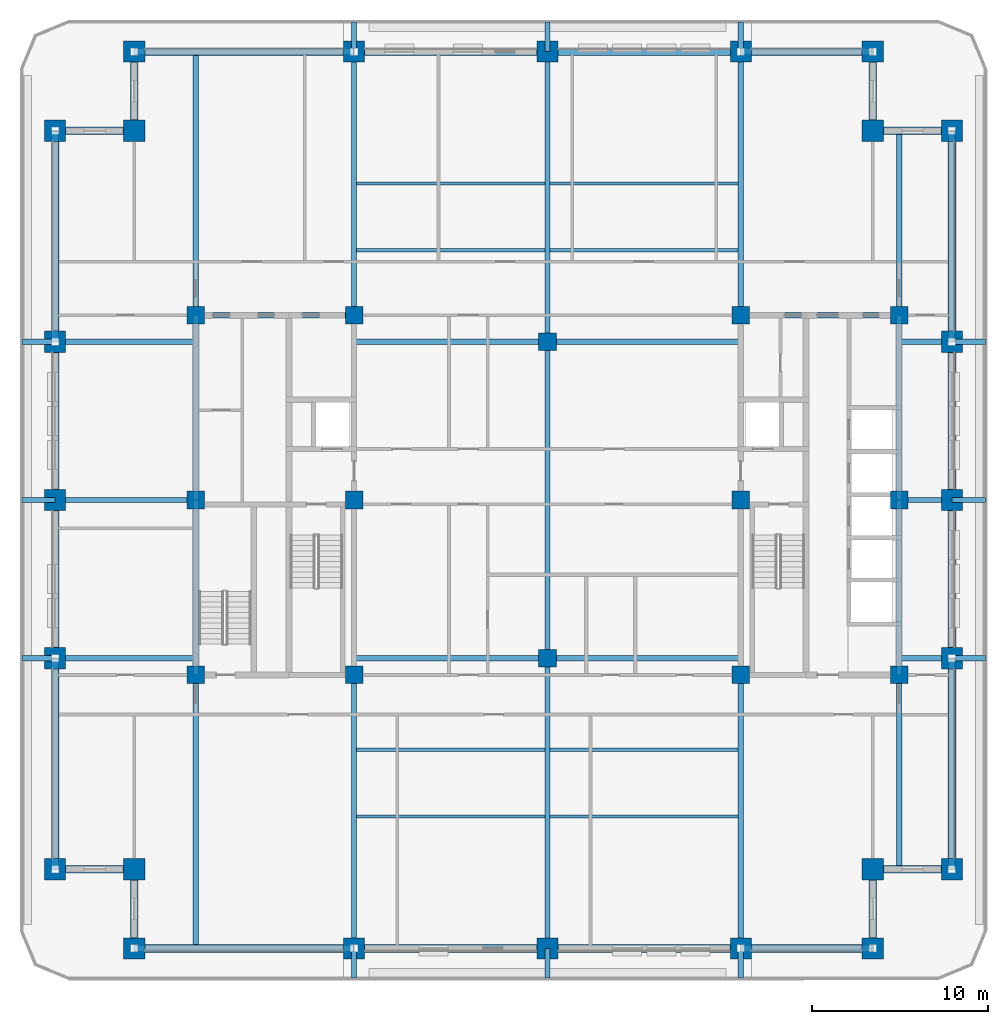
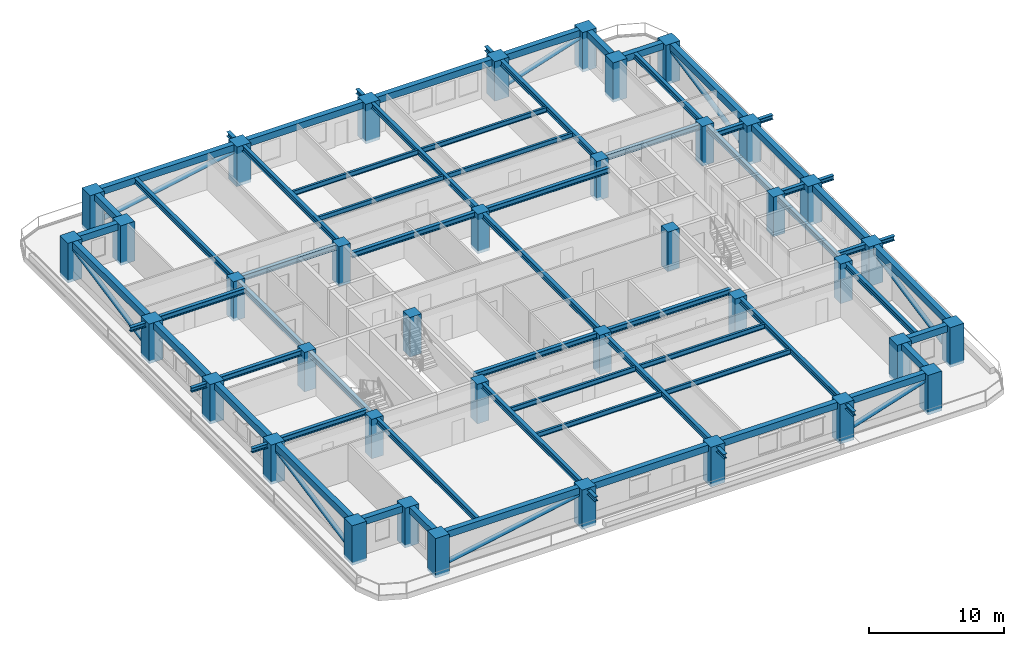
# One storey, part 1 of 15: 71 beams, 38 columns, 8 members.
"""IFC4 building model written with IfcOpenShell, lengths in metres."""

from ifc_helpers import new_model, si_unit, direction, frame, origin, origin_2d, place, context, subcontext, project, spatial, rectangle, hollow_circle, i_section, extrude, material, material_profile, profile_set, type_object, element, save


model = new_model("IFC4")

# Units and contexts
model_context = context("Model", 3, precision=1e-05, world=origin(), true_north=direction((0.0, 1.0)))
body_context = subcontext(model_context, "Body", "Model", "MODEL_VIEW")
ifc_project = project(units=[si_unit("LENGTHUNIT", "METRE"), si_unit("AREAUNIT", "SQUARE_METRE"), si_unit("VOLUMEUNIT", "CUBIC_METRE"), si_unit("PLANEANGLEUNIT", "RADIAN"), si_unit("MASSUNIT", "GRAM", prefix="KILO")], contexts=[model_context])

# Site, building, storey
site_placement = place(None, origin())
site = spatial("IfcSite", under=ifc_project, at=site_placement, CompositionType="ELEMENT")
building_placement = place(site_placement, origin())
building = spatial("IfcBuilding", under=site, at=building_placement, Name="Zulmaris Gate Convention Tower", CompositionType="ELEMENT")
storey_placement = place(building_placement, frame((0.0, 0.0, 128.48974609375)))
storey = spatial("IfcBuildingStorey", under=building, at=storey_placement, Name="L32", CompositionType="ELEMENT", Elevation=128.48974609375)

# Columns
ifc_material_1 = material(Name="Concrete C60/75", Category="concrete")
ifc_material_profile_1 = material_profile(ifc_material_1, rectangle(XDim=1.0, YDim=1.0, at=origin_2d()), Name="RC COL 1000x1000")
ifc_profile_set_1 = profile_set([ifc_material_profile_1], Name="Concrete C60/75")
column_type_1 = type_object("IfcColumnType", Name="COL-RC1000", PredefinedType="COLUMN", material=ifc_profile_set_1)
for number, where, z_axis, x_axis, name in (
    (1, (-20.0, -9.949951171875, -0.25), (0.0, 0.0, 1.0), (1.0, 0.0, 0.0), "L32 Column IN--20.00_-9.95"),
    (2, (-20.0, 10.5, -0.25), (0.0, 0.0, 1.0), (1.0, 0.0, 0.0), "L32 Column IN--20.00_+10.50"),
    (3, (-11.0, -9.949951171875, -0.25), (0.0, 0.0, 1.0), (1.0, 0.0, 0.0), "L32 Column IN--11.00_-9.95"),
    (4, (-11.0, 0.0, -0.25), (0.0, 0.0, 1.0), (1.0, 0.0, 0.0), "L32 Column IN--11.00_+0.00"),
    (5, (-11.0, 10.5, -0.25), (0.0, 0.0, 1.0), (1.0, 0.0, 0.0), "L32 Column IN--11.00_+10.50"),
    (6, (11.0, -9.949951171875, -0.25), (0.0, 0.0, 1.0), (1.0, 0.0, 0.0), "L32 Column IN-+11.00_-9.95"),
    (7, (11.0, 0.0, -0.25), (0.0, 0.0, 1.0), (1.0, 0.0, 0.0), "L32 Column IN-+11.00_+0.00"),
    (8, (11.0, 10.5, -0.25), (0.0, 0.0, 1.0), (1.0, 0.0, 0.0), "L32 Column IN-+11.00_+10.50"),
    (9, (20.0, -9.949951171875, -0.25), (0.0, 0.0, 1.0), (1.0, 0.0, 0.0), "L32 Column IN-+20.00_-9.95"),
    (10, (20.0, 10.5, -0.25), (0.0, 0.0, 1.0), (1.0, 0.0, 0.0), "L32 Column IN-+20.00_+10.50"),
    (11, (0.0, -9.0, -0.25), (0.0, 0.0, 1.0), (1.0, 0.0, 0.0), "L32 Column IN-+0.00_-9.00"),
    (12, (0.0, 9.0, -0.25), (0.0, 0.0, 1.0), (1.0, 0.0, 0.0), "L32 Column IN-+0.00_+9.00"),
    (13, (-20.0, 0.0, -0.25), (0.0, 0.0, 1.0), (1.0, 0.0, 0.0), "L32 Column IN--20.00_+0.00"),
    (14, (20.0, 0.0, -0.25), (0.0, 0.0, 1.0), (1.0, 0.0, 0.0), "L32 Column IN-+20.00_+0.00"),
):
    element("IfcColumn", number, at=place(storey_placement, frame(where, z_axis=z_axis, x_axis=x_axis)), inside=storey, type_object=column_type_1, Name=name, PredefinedType="COLUMN", context=body_context, shape_type="SweptSolid", body=[
        extrude(rectangle(XDim=1.0, YDim=1.0, at=origin_2d()), origin(), (0.0, 0.0, 1.0), 3.570068359375),
    ])
ifc_material_2 = material(Name="Concrete C70/85", Category="concrete")
ifc_material_profile_2 = material_profile(ifc_material_2, rectangle(XDim=1.199951171875, YDim=1.199951171875, at=origin_2d()), Name="RC COL 1200x1200")
ifc_profile_set_2 = profile_set([ifc_material_profile_2], Name="Concrete C70/85")
column_type_2 = type_object("IfcColumnType", Name="COL-RC1200", PredefinedType="COLUMN", material=ifc_profile_set_2)
for number, where, z_axis, x_axis, name in (
    (15, (-23.5, -25.5, -0.25), (0.0, 0.0, 1.0), (1.0, 0.0, 0.0), "L32 Column PT--23.50_-25.50"),
    (16, (-11.0, -25.5, -0.25), (0.0, 0.0, 1.0), (1.0, 0.0, 0.0), "L32 Column PT--11.00_-25.50"),
    (17, (0.0, -25.5, -0.25), (0.0, 0.0, 1.0), (1.0, 0.0, 0.0), "L32 Column PT-+0.00_-25.50"),
    (18, (11.0, -25.5, -0.25), (0.0, 0.0, 1.0), (1.0, 0.0, 0.0), "L32 Column PT-+11.00_-25.50"),
    (19, (18.5, -25.5, -0.25), (0.0, 0.0, 1.0), (1.0, 0.0, 0.0), "L32 Column PT-+18.50_-25.50"),
    (20, (-23.5, 25.5, -0.25), (0.0, 0.0, 1.0), (1.0, 0.0, 0.0), "L32 Column PT--23.50_+25.50"),
    (21, (-11.0, 25.5, -0.25), (0.0, 0.0, 1.0), (1.0, 0.0, 0.0), "L32 Column PT--11.00_+25.50"),
    (22, (0.0, 25.5, -0.25), (0.0, 0.0, 1.0), (1.0, 0.0, 0.0), "L32 Column PT-+0.00_+25.50"),
    (23, (11.0, 25.5, -0.25), (0.0, 0.0, 1.0), (1.0, 0.0, 0.0), "L32 Column PT-+11.00_+25.50"),
    (24, (18.5, 25.5, -0.25), (0.0, 0.0, 1.0), (1.0, 0.0, 0.0), "L32 Column PT-+18.50_+25.50"),
    (25, (-28.0, -21.0, -0.25), (0.0, 0.0, 1.0), (1.0, 0.0, 0.0), "L32 Column PT--28.00_-21.00"),
    (26, (-28.0, -9.0, -0.25), (0.0, 0.0, 1.0), (1.0, 0.0, 0.0), "L32 Column PT--28.00_-9.00"),
    (27, (-28.0, 0.0, -0.25), (0.0, 0.0, 1.0), (1.0, 0.0, 0.0), "L32 Column PT--28.00_+0.00"),
    (28, (-28.0, 9.0, -0.25), (0.0, 0.0, 1.0), (1.0, 0.0, 0.0), "L32 Column PT--28.00_+9.00"),
    (29, (-28.0, 21.0, -0.25), (0.0, 0.0, 1.0), (1.0, 0.0, 0.0), "L32 Column PT--28.00_+21.00"),
    (30, (23.0, -21.0, -0.25), (0.0, 0.0, 1.0), (1.0, 0.0, 0.0), "L32 Column PT-+23.00_-21.00"),
    (31, (23.0, -9.0, -0.25), (0.0, 0.0, 1.0), (1.0, 0.0, 0.0), "L32 Column PT-+23.00_-9.00"),
    (32, (23.0, 0.0, -0.25), (0.0, 0.0, 1.0), (1.0, 0.0, 0.0), "L32 Column PT-+23.00_+0.00"),
    (33, (23.0, 9.0, -0.25), (0.0, 0.0, 1.0), (1.0, 0.0, 0.0), "L32 Column PT-+23.00_+9.00"),
    (34, (23.0, 21.0, -0.25), (0.0, 0.0, 1.0), (1.0, 0.0, 0.0), "L32 Column PT-+23.00_+21.00"),
    (35, (-23.5, -21.0, -0.25), (0.0, 0.0, 1.0), (1.0, 0.0, 0.0), "L32 Column PT--23.50_-21.00"),
    (36, (18.5, -21.0, -0.25), (0.0, 0.0, 1.0), (1.0, 0.0, 0.0), "L32 Column PT-+18.50_-21.00"),
    (37, (18.5, 21.0, -0.25), (0.0, 0.0, 1.0), (1.0, 0.0, 0.0), "L32 Column PT-+18.50_+21.00"),
    (38, (-23.5, 21.0, -0.25), (0.0, 0.0, 1.0), (1.0, 0.0, 0.0), "L32 Column PT--23.50_+21.00"),
):
    element("IfcColumn", number, at=place(storey_placement, frame(where, z_axis=z_axis, x_axis=x_axis)), inside=storey, type_object=column_type_2, Name=name, PredefinedType="COLUMN", context=body_context, shape_type="SweptSolid", body=[
        extrude(rectangle(XDim=1.199951171875, YDim=1.199951171875, at=origin_2d()), origin(), (0.0, 0.0, 1.0), 3.570068359375),
    ])

# Beams
ifc_material_3 = material(Name="Steel S355", Category="steel")
ifc_material_profile_3 = material_profile(ifc_material_3, i_section(OverallWidth=0.300048828125, OverallDepth=0.39990234375, WebThickness=0.013427734375, FlangeThickness=0.02392578125, FilletRadius=0.027099609375, at=origin_2d()), Name="HEB 400")
ifc_profile_set_3 = profile_set([ifc_material_profile_3], Name="Steel S355")
beam_type_1 = type_object("IfcBeamType", Name="BM-HEB400", PredefinedType="BEAM", material=ifc_profile_set_3)
for number, where, z_axis, x_axis, name in (
    (39, (-11.0, -27.199951171875, 2.97998046875), (0.0, 1.0, 0.0), (-1.0, 0.0, 0.0), "L32 Beam TBRK-L32-S--11"),
    (40, (-11.0, 25.5, 2.97998046875), (0.0, 1.0, 0.0), (-1.0, 0.0, 0.0), "L32 Beam TBRK-L32-N--11"),
    (41, (0.0, -27.199951171875, 2.97998046875), (0.0, 1.0, 0.0), (-1.0, 0.0, 0.0), "L32 Beam TBRK-L32-S-+0"),
    (42, (0.0, 25.5, 2.97998046875), (0.0, 1.0, 0.0), (-1.0, 0.0, 0.0), "L32 Beam TBRK-L32-N-+0"),
    (43, (11.0, -27.199951171875, 2.97998046875), (0.0, 1.0, 0.0), (-1.0, 0.0, 0.0), "L32 Beam TBRK-L32-S-+11"),
    (44, (11.0, 25.5, 2.97998046875), (0.0, 1.0, 0.0), (-1.0, 0.0, 0.0), "L32 Beam TBRK-L32-N-+11"),
):
    element("IfcBeam", number, at=place(storey_placement, frame(where, z_axis=z_axis, x_axis=x_axis)), inside=storey, type_object=beam_type_1, Name=name, PredefinedType="BEAM", context=body_context, shape_type="SweptSolid", body=[
        extrude(i_section(OverallWidth=0.300048828125, OverallDepth=0.39990234375, WebThickness=0.013427734375, FlangeThickness=0.02392578125, FilletRadius=0.027099609375, at=origin_2d()), origin(), (0.0, 0.0, 1.0), 1.699951171875),
    ])
for number, where, z_axis, x_axis, name in (
    (45, (-29.89990234375, -9.0, 2.97998046875), (1.0, 0.0, 0.0), (0.0, 1.0, 0.0), "L32 Beam TBRK-L32-W--9"),
    (46, (23.0, -9.0, 2.97998046875), (1.0, 0.0, 0.0), (0.0, 1.0, 0.0), "L32 Beam TBRK-L32-E--9"),
    (47, (-29.89990234375, 0.0, 2.97998046875), (1.0, 0.0, 0.0), (0.0, 1.0, 0.0), "L32 Beam TBRK-L32-W-+0"),
    (48, (23.0, 0.0, 2.97998046875), (1.0, 0.0, 0.0), (0.0, 1.0, 0.0), "L32 Beam TBRK-L32-E-+0"),
    (49, (-29.89990234375, 9.0, 2.97998046875), (1.0, 0.0, 0.0), (0.0, 1.0, 0.0), "L32 Beam TBRK-L32-W-+9"),
    (50, (23.0, 9.0, 2.97998046875), (1.0, 0.0, 0.0), (0.0, 1.0, 0.0), "L32 Beam TBRK-L32-E-+9"),
):
    element("IfcBeam", number, at=place(storey_placement, frame(where, z_axis=z_axis, x_axis=x_axis)), inside=storey, type_object=beam_type_1, Name=name, PredefinedType="BEAM", context=body_context, shape_type="SweptSolid", body=[
        extrude(i_section(OverallWidth=0.300048828125, OverallDepth=0.39990234375, WebThickness=0.013427734375, FlangeThickness=0.02392578125, FilletRadius=0.027099609375, at=origin_2d()), origin(), (0.0, 0.0, 1.0), 1.89990234375),
    ])
ifc_material_profile_4 = material_profile(ifc_material_3, i_section(OverallWidth=0.300048828125, OverallDepth=0.5, WebThickness=0.014404296875, FlangeThickness=0.028076171875, FilletRadius=0.027099609375, at=origin_2d()), Name="HEB 500")
ifc_profile_set_4 = profile_set([ifc_material_profile_4], Name="Steel S355")
beam_type_2 = type_object("IfcBeamType", Name="BM-HEB500", PredefinedType="BEAM", material=ifc_profile_set_4)
for number, where, z_axis, x_axis, name in (
    (51, (-11.0, -9.0, 3.068115234375), (1.0, 0.0, 0.0), (0.0, 1.0, 0.0), "L32 Beam BM-L32-G01"),
    (52, (0.0, -9.0, 3.068115234375), (1.0, 0.0, 0.0), (0.0, 1.0, 0.0), "L32 Beam BM-L32-G02"),
    (53, (-11.0, 9.0, 3.068115234375), (1.0, 0.0, 0.0), (0.0, 1.0, 0.0), "L32 Beam BM-L32-G03"),
    (54, (0.0, 9.0, 3.068115234375), (1.0, 0.0, 0.0), (0.0, 1.0, 0.0), "L32 Beam BM-L32-G04"),
):
    element("IfcBeam", number, at=place(storey_placement, frame(where, z_axis=z_axis, x_axis=x_axis)), inside=storey, type_object=beam_type_2, Name=name, PredefinedType="BEAM", context=body_context, shape_type="SweptSolid", body=[
        extrude(i_section(OverallWidth=0.300048828125, OverallDepth=0.5, WebThickness=0.014404296875, FlangeThickness=0.028076171875, FilletRadius=0.027099609375, at=origin_2d()), origin(), (0.0, 0.0, 1.0), 11.0),
    ])
beam_1_placement = place(storey_placement, frame((0.0, -25.5, 3.068115234375), z_axis=(0.0, 1.0, 0.0), x_axis=(-1.0, 0.0, 0.0)))
element("IfcBeam", 55, at=beam_1_placement, inside=storey, type_object=beam_type_2, Name="L32 Beam BM-L32-G05", PredefinedType="BEAM", context=body_context, shape_type="SweptSolid", body=[
    extrude(i_section(OverallWidth=0.300048828125, OverallDepth=0.5, WebThickness=0.014404296875, FlangeThickness=0.028076171875, FilletRadius=0.027099609375, at=origin_2d()), origin(), (0.0, 0.0, 1.0), 16.5),
])
beam_2_placement = place(storey_placement, frame((0.0, -9.0, 3.068115234375), z_axis=(0.0, 1.0, 0.0), x_axis=(-1.0, 0.0, 0.0)))
element("IfcBeam", 56, at=beam_2_placement, inside=storey, type_object=beam_type_2, Name="L32 Beam BM-L32-G06", PredefinedType="BEAM", context=body_context, shape_type="SweptSolid", body=[
    extrude(i_section(OverallWidth=0.300048828125, OverallDepth=0.5, WebThickness=0.014404296875, FlangeThickness=0.028076171875, FilletRadius=0.027099609375, at=origin_2d()), origin(), (0.0, 0.0, 1.0), 18.0),
])
beam_3_placement = place(storey_placement, frame((0.0, 9.0, 3.068115234375), z_axis=(0.0, 1.0, 0.0), x_axis=(-1.0, 0.0, 0.0)))
element("IfcBeam", 57, at=beam_3_placement, inside=storey, type_object=beam_type_2, Name="L32 Beam BM-L32-G07", PredefinedType="BEAM", context=body_context, shape_type="SweptSolid", body=[
    extrude(i_section(OverallWidth=0.300048828125, OverallDepth=0.5, WebThickness=0.014404296875, FlangeThickness=0.028076171875, FilletRadius=0.027099609375, at=origin_2d()), origin(), (0.0, 0.0, 1.0), 16.5),
])
beam_4_placement = place(storey_placement, frame((-11.0, -25.5, 3.068115234375), z_axis=(0.0, 1.0, 0.0), x_axis=(-1.0, 0.0, 0.0)))
element("IfcBeam", 58, at=beam_4_placement, inside=storey, type_object=beam_type_2, Name="L32 Beam BM-L32-G08", PredefinedType="BEAM", context=body_context, shape_type="SweptSolid", body=[
    extrude(i_section(OverallWidth=0.300048828125, OverallDepth=0.5, WebThickness=0.014404296875, FlangeThickness=0.028076171875, FilletRadius=0.027099609375, at=origin_2d()), origin(), (0.0, 0.0, 1.0), 15.550048828125),
])
beam_5_placement = place(storey_placement, frame((-11.0, 10.5, 3.068115234375), z_axis=(0.0, 1.0, 0.0), x_axis=(-1.0, 0.0, 0.0)))
element("IfcBeam", 59, at=beam_5_placement, inside=storey, type_object=beam_type_2, Name="L32 Beam BM-L32-G09", PredefinedType="BEAM", context=body_context, shape_type="SweptSolid", body=[
    extrude(i_section(OverallWidth=0.300048828125, OverallDepth=0.5, WebThickness=0.014404296875, FlangeThickness=0.028076171875, FilletRadius=0.027099609375, at=origin_2d()), origin(), (0.0, 0.0, 1.0), 15.0),
])
beam_6_placement = place(storey_placement, frame((11.0, -25.5, 3.068115234375), z_axis=(0.0, 1.0, 0.0), x_axis=(-1.0, 0.0, 0.0)))
element("IfcBeam", 60, at=beam_6_placement, inside=storey, type_object=beam_type_2, Name="L32 Beam BM-L32-G10", PredefinedType="BEAM", context=body_context, shape_type="SweptSolid", body=[
    extrude(i_section(OverallWidth=0.300048828125, OverallDepth=0.5, WebThickness=0.014404296875, FlangeThickness=0.028076171875, FilletRadius=0.027099609375, at=origin_2d()), origin(), (0.0, 0.0, 1.0), 15.550048828125),
])
beam_7_placement = place(storey_placement, frame((11.0, 10.5, 3.068115234375), z_axis=(0.0, 1.0, 0.0), x_axis=(-1.0, 0.0, 0.0)))
element("IfcBeam", 61, at=beam_7_placement, inside=storey, type_object=beam_type_2, Name="L32 Beam BM-L32-G11", PredefinedType="BEAM", context=body_context, shape_type="SweptSolid", body=[
    extrude(i_section(OverallWidth=0.300048828125, OverallDepth=0.5, WebThickness=0.014404296875, FlangeThickness=0.028076171875, FilletRadius=0.027099609375, at=origin_2d()), origin(), (0.0, 0.0, 1.0), 15.0),
])
beam_8_placement = place(storey_placement, frame((-20.0, -25.5, 3.068115234375), z_axis=(0.0, 1.0, 0.0), x_axis=(-1.0, 0.0, 0.0)))
element("IfcBeam", 62, at=beam_8_placement, inside=storey, type_object=beam_type_2, Name="L32 Beam BM-L32-G12", PredefinedType="BEAM", context=body_context, shape_type="SweptSolid", body=[
    extrude(i_section(OverallWidth=0.300048828125, OverallDepth=0.5, WebThickness=0.014404296875, FlangeThickness=0.028076171875, FilletRadius=0.027099609375, at=origin_2d()), origin(), (0.0, 0.0, 1.0), 15.550048828125),
])
beam_9_placement = place(storey_placement, frame((-20.0, 10.5, 3.068115234375), z_axis=(0.0, 1.0, 0.0), x_axis=(-1.0, 0.0, 0.0)))
element("IfcBeam", 63, at=beam_9_placement, inside=storey, type_object=beam_type_2, Name="L32 Beam BM-L32-G13", PredefinedType="BEAM", context=body_context, shape_type="SweptSolid", body=[
    extrude(i_section(OverallWidth=0.300048828125, OverallDepth=0.5, WebThickness=0.014404296875, FlangeThickness=0.028076171875, FilletRadius=0.027099609375, at=origin_2d()), origin(), (0.0, 0.0, 1.0), 15.0),
])
beam_10_placement = place(storey_placement, frame((20.0, -21.0, 3.068115234375), z_axis=(0.0, 1.0, 0.0), x_axis=(-1.0, 0.0, 0.0)))
element("IfcBeam", 64, at=beam_10_placement, inside=storey, type_object=beam_type_2, Name="L32 Beam BM-L32-G14", PredefinedType="BEAM", context=body_context, shape_type="SweptSolid", body=[
    extrude(i_section(OverallWidth=0.300048828125, OverallDepth=0.5, WebThickness=0.014404296875, FlangeThickness=0.028076171875, FilletRadius=0.027099609375, at=origin_2d()), origin(), (0.0, 0.0, 1.0), 11.050048828125),
])
beam_11_placement = place(storey_placement, frame((20.0, 10.5, 3.068115234375), z_axis=(0.0, 1.0, 0.0), x_axis=(-1.0, 0.0, 0.0)))
element("IfcBeam", 65, at=beam_11_placement, inside=storey, type_object=beam_type_2, Name="L32 Beam BM-L32-G15", PredefinedType="BEAM", context=body_context, shape_type="SweptSolid", body=[
    extrude(i_section(OverallWidth=0.300048828125, OverallDepth=0.5, WebThickness=0.014404296875, FlangeThickness=0.028076171875, FilletRadius=0.027099609375, at=origin_2d()), origin(), (0.0, 0.0, 1.0), 10.5),
])
for number, where, z_axis, x_axis, name in (
    (66, (-28.0, -9.0, 3.068115234375), (1.0, 0.0, 0.0), (0.0, 1.0, 0.0), "L32 Beam BM-L32-G16"),
    (67, (-28.0, 0.0, 3.068115234375), (1.0, 0.0, 0.0), (0.0, 1.0, 0.0), "L32 Beam BM-L32-G17"),
    (68, (-28.0, 9.0, 3.068115234375), (1.0, 0.0, 0.0), (0.0, 1.0, 0.0), "L32 Beam BM-L32-G18"),
):
    element("IfcBeam", number, at=place(storey_placement, frame(where, z_axis=z_axis, x_axis=x_axis)), inside=storey, type_object=beam_type_2, Name=name, PredefinedType="BEAM", context=body_context, shape_type="SweptSolid", body=[
        extrude(i_section(OverallWidth=0.300048828125, OverallDepth=0.5, WebThickness=0.014404296875, FlangeThickness=0.028076171875, FilletRadius=0.027099609375, at=origin_2d()), origin(), (0.0, 0.0, 1.0), 8.0),
    ])
for number, where, z_axis, x_axis, name in (
    (69, (20.0, -9.0, 3.068115234375), (1.0, 0.0, 0.0), (0.0, 1.0, 0.0), "L32 Beam BM-L32-G19"),
    (70, (20.0, 0.0, 3.068115234375), (1.0, 0.0, 0.0), (0.0, 1.0, 0.0), "L32 Beam BM-L32-G20"),
    (71, (20.0, 9.0, 3.068115234375), (1.0, 0.0, 0.0), (0.0, 1.0, 0.0), "L32 Beam BM-L32-G21"),
):
    element("IfcBeam", number, at=place(storey_placement, frame(where, z_axis=z_axis, x_axis=x_axis)), inside=storey, type_object=beam_type_2, Name=name, PredefinedType="BEAM", context=body_context, shape_type="SweptSolid", body=[
        extrude(i_section(OverallWidth=0.300048828125, OverallDepth=0.5, WebThickness=0.014404296875, FlangeThickness=0.028076171875, FilletRadius=0.027099609375, at=origin_2d()), origin(), (0.0, 0.0, 1.0), 3.0),
    ])
for number, where, z_axis, x_axis, name in (
    (72, (-20.0, 10.5, 3.068115234375), (1.0, 0.0, 0.0), (0.0, 1.0, 0.0), "L32 Beam BM-L32-G23"),
    (73, (11.0, 10.5, 3.068115234375), (1.0, 0.0, 0.0), (0.0, 1.0, 0.0), "L32 Beam BM-L32-G25"),
):
    element("IfcBeam", number, at=place(storey_placement, frame(where, z_axis=z_axis, x_axis=x_axis)), inside=storey, type_object=beam_type_2, Name=name, PredefinedType="BEAM", context=body_context, shape_type="SweptSolid", body=[
        extrude(i_section(OverallWidth=0.300048828125, OverallDepth=0.5, WebThickness=0.014404296875, FlangeThickness=0.028076171875, FilletRadius=0.027099609375, at=origin_2d()), origin(), (0.0, 0.0, 1.0), 9.0),
    ])
beam_12_placement = place(storey_placement, frame((-20.0, -9.949951171875, 3.068115234375), z_axis=(0.0, 1.0, 0.0), x_axis=(-1.0, 0.0, 0.0)))
element("IfcBeam", 74, at=beam_12_placement, inside=storey, type_object=beam_type_2, Name="L32 Beam BM-L32-G26", PredefinedType="BEAM", context=body_context, shape_type="SweptSolid", body=[
    extrude(i_section(OverallWidth=0.300048828125, OverallDepth=0.5, WebThickness=0.014404296875, FlangeThickness=0.028076171875, FilletRadius=0.027099609375, at=origin_2d()), origin(), (0.0, 0.0, 1.0), 9.949951171875),
])
beam_13_placement = place(storey_placement, frame((-20.0, 0.0, 3.068115234375), z_axis=(0.0, 1.0, 0.0), x_axis=(-1.0, 0.0, 0.0)))
element("IfcBeam", 75, at=beam_13_placement, inside=storey, type_object=beam_type_2, Name="L32 Beam BM-L32-G27", PredefinedType="BEAM", context=body_context, shape_type="SweptSolid", body=[
    extrude(i_section(OverallWidth=0.300048828125, OverallDepth=0.5, WebThickness=0.014404296875, FlangeThickness=0.028076171875, FilletRadius=0.027099609375, at=origin_2d()), origin(), (0.0, 0.0, 1.0), 10.5),
])
beam_14_placement = place(storey_placement, frame((20.0, -9.949951171875, 3.068115234375), z_axis=(0.0, 1.0, 0.0), x_axis=(-1.0, 0.0, 0.0)))
element("IfcBeam", 76, at=beam_14_placement, inside=storey, type_object=beam_type_2, Name="L32 Beam BM-L32-G28", PredefinedType="BEAM", context=body_context, shape_type="SweptSolid", body=[
    extrude(i_section(OverallWidth=0.300048828125, OverallDepth=0.5, WebThickness=0.014404296875, FlangeThickness=0.028076171875, FilletRadius=0.027099609375, at=origin_2d()), origin(), (0.0, 0.0, 1.0), 9.949951171875),
])
beam_15_placement = place(storey_placement, frame((20.0, 0.0, 3.068115234375), z_axis=(0.0, 1.0, 0.0), x_axis=(-1.0, 0.0, 0.0)))
element("IfcBeam", 77, at=beam_15_placement, inside=storey, type_object=beam_type_2, Name="L32 Beam BM-L32-G29", PredefinedType="BEAM", context=body_context, shape_type="SweptSolid", body=[
    extrude(i_section(OverallWidth=0.300048828125, OverallDepth=0.5, WebThickness=0.014404296875, FlangeThickness=0.028076171875, FilletRadius=0.027099609375, at=origin_2d()), origin(), (0.0, 0.0, 1.0), 10.5),
])
ifc_material_4 = material(Name="Precast concrete C50/60", Category="concrete")
ifc_material_profile_5 = material_profile(ifc_material_4, rectangle(XDim=0.449951171875, YDim=0.60009765625, at=origin_2d()), Name="RC SPANDREL 450x600")
ifc_profile_set_5 = profile_set([ifc_material_profile_5], Name="Precast concrete C50/60")
beam_type_3 = type_object("IfcBeamType", Name="BM-SP450x600", PredefinedType="SPANDREL", material=ifc_profile_set_5)
beam_16_placement = place(storey_placement, frame((-23.5, -25.5, 3.02001953125), z_axis=(1.0, 0.0, 0.0), x_axis=(0.0, 1.0, 0.0)))
element("IfcBeam", 78, at=beam_16_placement, inside=storey, type_object=beam_type_3, Name="L32 Spandrel SP-L32-01", PredefinedType="SPANDREL", context=body_context, shape_type="SweptSolid", body=[
    extrude(rectangle(XDim=0.449951171875, YDim=0.60009765625, at=origin_2d()), origin(), (0.0, 0.0, 1.0), 12.5),
])
for number, where, z_axis, x_axis, name in (
    (79, (-11.0, -25.5, 3.02001953125), (1.0, 0.0, 0.0), (0.0, 1.0, 0.0), "L32 Spandrel SP-L32-02"),
    (80, (0.0, -25.5, 3.02001953125), (1.0, 0.0, 0.0), (0.0, 1.0, 0.0), "L32 Spandrel SP-L32-03"),
):
    element("IfcBeam", number, at=place(storey_placement, frame(where, z_axis=z_axis, x_axis=x_axis)), inside=storey, type_object=beam_type_3, Name=name, PredefinedType="SPANDREL", context=body_context, shape_type="SweptSolid", body=[
        extrude(rectangle(XDim=0.449951171875, YDim=0.60009765625, at=origin_2d()), origin(), (0.0, 0.0, 1.0), 11.0),
    ])
beam_17_placement = place(storey_placement, frame((11.0, -25.5, 3.02001953125), z_axis=(1.0, 0.0, 0.0), x_axis=(0.0, 1.0, 0.0)))
element("IfcBeam", 81, at=beam_17_placement, inside=storey, type_object=beam_type_3, Name="L32 Spandrel SP-L32-04", PredefinedType="SPANDREL", context=body_context, shape_type="SweptSolid", body=[
    extrude(rectangle(XDim=0.449951171875, YDim=0.60009765625, at=origin_2d()), origin(), (0.0, 0.0, 1.0), 7.5),
])
for number, where, z_axis, x_axis, name in (
    (82, (18.5, -25.5, 3.02001953125), (0.0, 1.0, 0.0), (-1.0, 0.0, 0.0), "L32 Spandrel SP-L32-05"),
    (83, (18.5, -21.0, 3.02001953125), (1.0, 0.0, 0.0), (0.0, 1.0, 0.0), "L32 Spandrel SP-L32-06"),
):
    element("IfcBeam", number, at=place(storey_placement, frame(where, z_axis=z_axis, x_axis=x_axis)), inside=storey, type_object=beam_type_3, Name=name, PredefinedType="SPANDREL", context=body_context, shape_type="SweptSolid", body=[
        extrude(rectangle(XDim=0.449951171875, YDim=0.60009765625, at=origin_2d()), origin(), (0.0, 0.0, 1.0), 4.5),
    ])
beam_18_placement = place(storey_placement, frame((23.0, -21.0, 3.02001953125), z_axis=(0.0, 1.0, 0.0), x_axis=(-1.0, 0.0, 0.0)))
element("IfcBeam", 84, at=beam_18_placement, inside=storey, type_object=beam_type_3, Name="L32 Spandrel SP-L32-07", PredefinedType="SPANDREL", context=body_context, shape_type="SweptSolid", body=[
    extrude(rectangle(XDim=0.449951171875, YDim=0.60009765625, at=origin_2d()), origin(), (0.0, 0.0, 1.0), 12.0),
])
for number, where, z_axis, x_axis, name in (
    (85, (23.0, -9.0, 3.02001953125), (0.0, 1.0, 0.0), (-1.0, 0.0, 0.0), "L32 Spandrel SP-L32-08"),
    (86, (23.0, 0.0, 3.02001953125), (0.0, 1.0, 0.0), (-1.0, 0.0, 0.0), "L32 Spandrel SP-L32-09"),
):
    element("IfcBeam", number, at=place(storey_placement, frame(where, z_axis=z_axis, x_axis=x_axis)), inside=storey, type_object=beam_type_3, Name=name, PredefinedType="SPANDREL", context=body_context, shape_type="SweptSolid", body=[
        extrude(rectangle(XDim=0.449951171875, YDim=0.60009765625, at=origin_2d()), origin(), (0.0, 0.0, 1.0), 9.0),
    ])
beam_19_placement = place(storey_placement, frame((23.0, 9.0, 3.02001953125), z_axis=(0.0, 1.0, 0.0), x_axis=(-1.0, 0.0, 0.0)))
element("IfcBeam", 87, at=beam_19_placement, inside=storey, type_object=beam_type_3, Name="L32 Spandrel SP-L32-10", PredefinedType="SPANDREL", context=body_context, shape_type="SweptSolid", body=[
    extrude(rectangle(XDim=0.449951171875, YDim=0.60009765625, at=origin_2d()), origin(), (0.0, 0.0, 1.0), 12.0),
])
for number, where, z_axis, x_axis, name in (
    (88, (23.0, 21.0, 3.02001953125), (-1.0, 0.0, 0.0), (0.0, -1.0, 0.0), "L32 Spandrel SP-L32-11"),
    (89, (18.5, 21.0, 3.02001953125), (0.0, 1.0, 0.0), (-1.0, 0.0, 0.0), "L32 Spandrel SP-L32-12"),
):
    element("IfcBeam", number, at=place(storey_placement, frame(where, z_axis=z_axis, x_axis=x_axis)), inside=storey, type_object=beam_type_3, Name=name, PredefinedType="SPANDREL", context=body_context, shape_type="SweptSolid", body=[
        extrude(rectangle(XDim=0.449951171875, YDim=0.60009765625, at=origin_2d()), origin(), (0.0, 0.0, 1.0), 4.5),
    ])
beam_20_placement = place(storey_placement, frame((18.5, 25.5, 3.02001953125), z_axis=(-1.0, 0.0, 0.0), x_axis=(0.0, -1.0, 0.0)))
element("IfcBeam", 90, at=beam_20_placement, inside=storey, type_object=beam_type_3, Name="L32 Spandrel SP-L32-13", PredefinedType="SPANDREL", context=body_context, shape_type="SweptSolid", body=[
    extrude(rectangle(XDim=0.449951171875, YDim=0.60009765625, at=origin_2d()), origin(), (0.0, 0.0, 1.0), 7.5),
])
for number, where, z_axis, x_axis, name in (
    (91, (11.0, 25.5, 3.02001953125), (-1.0, 0.0, 0.0), (0.0, -1.0, 0.0), "L32 Spandrel SP-L32-14"),
    (92, (0.0, 25.5, 3.02001953125), (-1.0, 0.0, 0.0), (0.0, -1.0, 0.0), "L32 Spandrel SP-L32-15"),
):
    element("IfcBeam", number, at=place(storey_placement, frame(where, z_axis=z_axis, x_axis=x_axis)), inside=storey, type_object=beam_type_3, Name=name, PredefinedType="SPANDREL", context=body_context, shape_type="SweptSolid", body=[
        extrude(rectangle(XDim=0.449951171875, YDim=0.60009765625, at=origin_2d()), origin(), (0.0, 0.0, 1.0), 11.0),
    ])
beam_21_placement = place(storey_placement, frame((-11.0, 25.5, 3.02001953125), z_axis=(-1.0, 0.0, 0.0), x_axis=(0.0, -1.0, 0.0)))
element("IfcBeam", 93, at=beam_21_placement, inside=storey, type_object=beam_type_3, Name="L32 Spandrel SP-L32-16", PredefinedType="SPANDREL", context=body_context, shape_type="SweptSolid", body=[
    extrude(rectangle(XDim=0.449951171875, YDim=0.60009765625, at=origin_2d()), origin(), (0.0, 0.0, 1.0), 12.5),
])
for number, where, z_axis, x_axis, name in (
    (94, (-23.5, 25.5, 3.02001953125), (0.0, -1.0, 0.0), (1.0, 0.0, 0.0), "L32 Spandrel SP-L32-17"),
    (95, (-23.5, 21.0, 3.02001953125), (-1.0, 0.0, 0.0), (0.0, -1.0, 0.0), "L32 Spandrel SP-L32-18"),
):
    element("IfcBeam", number, at=place(storey_placement, frame(where, z_axis=z_axis, x_axis=x_axis)), inside=storey, type_object=beam_type_3, Name=name, PredefinedType="SPANDREL", context=body_context, shape_type="SweptSolid", body=[
        extrude(rectangle(XDim=0.449951171875, YDim=0.60009765625, at=origin_2d()), origin(), (0.0, 0.0, 1.0), 4.5),
    ])
beam_22_placement = place(storey_placement, frame((-28.0, 21.0, 3.02001953125), z_axis=(0.0, -1.0, 0.0), x_axis=(1.0, 0.0, 0.0)))
element("IfcBeam", 96, at=beam_22_placement, inside=storey, type_object=beam_type_3, Name="L32 Spandrel SP-L32-19", PredefinedType="SPANDREL", context=body_context, shape_type="SweptSolid", body=[
    extrude(rectangle(XDim=0.449951171875, YDim=0.60009765625, at=origin_2d()), origin(), (0.0, 0.0, 1.0), 12.0),
])
for number, where, z_axis, x_axis, name in (
    (97, (-28.0, 9.0, 3.02001953125), (0.0, -1.0, 0.0), (1.0, 0.0, 0.0), "L32 Spandrel SP-L32-20"),
    (98, (-28.0, 0.0, 3.02001953125), (0.0, -1.0, 0.0), (1.0, 0.0, 0.0), "L32 Spandrel SP-L32-21"),
):
    element("IfcBeam", number, at=place(storey_placement, frame(where, z_axis=z_axis, x_axis=x_axis)), inside=storey, type_object=beam_type_3, Name=name, PredefinedType="SPANDREL", context=body_context, shape_type="SweptSolid", body=[
        extrude(rectangle(XDim=0.449951171875, YDim=0.60009765625, at=origin_2d()), origin(), (0.0, 0.0, 1.0), 9.0),
    ])
beam_23_placement = place(storey_placement, frame((-28.0, -9.0, 3.02001953125), z_axis=(0.0, -1.0, 0.0), x_axis=(1.0, 0.0, 0.0)))
element("IfcBeam", 99, at=beam_23_placement, inside=storey, type_object=beam_type_3, Name="L32 Spandrel SP-L32-22", PredefinedType="SPANDREL", context=body_context, shape_type="SweptSolid", body=[
    extrude(rectangle(XDim=0.449951171875, YDim=0.60009765625, at=origin_2d()), origin(), (0.0, 0.0, 1.0), 12.0),
])
for number, where, z_axis, x_axis, name in (
    (100, (-28.0, -21.0, 3.02001953125), (1.0, 0.0, 0.0), (0.0, 1.0, 0.0), "L32 Spandrel SP-L32-23"),
    (101, (-23.5, -21.0, 3.02001953125), (0.0, -1.0, 0.0), (1.0, 0.0, 0.0), "L32 Spandrel SP-L32-24"),
):
    element("IfcBeam", number, at=place(storey_placement, frame(where, z_axis=z_axis, x_axis=x_axis)), inside=storey, type_object=beam_type_3, Name=name, PredefinedType="SPANDREL", context=body_context, shape_type="SweptSolid", body=[
        extrude(rectangle(XDim=0.449951171875, YDim=0.60009765625, at=origin_2d()), origin(), (0.0, 0.0, 1.0), 4.5),
    ])

# Members
ifc_material_5 = material(Name="Steel S460", Category="steel")
ifc_material_profile_6 = material_profile(ifc_material_5, hollow_circle(Radius=0.203125, WallThickness=0.02001953125, at=origin_2d()), Name="CHS 406.4x20")
ifc_profile_set_6 = profile_set([ifc_material_profile_6], Name="Steel S460")
member_type = type_object("IfcMemberType", Name="BR-CHS406", PredefinedType="BRACE", material=ifc_profile_set_6)
for number, where, z_axis, x_axis, name in (
    (102, (-28.0, -21.0, 0.300048828125), (0.0, 0.980582210276, 0.196108462057), (-1.0, 0.0, 0.0), "L32 Perimeter Tube Diagonal SW-W"),
    (103, (-28.0, 9.0, 0.300048828125), (0.0, 0.980582210276, 0.196108462057), (-1.0, 0.0, 0.0), "L32 Perimeter Tube Diagonal NW-W"),
    (104, (23.0, -21.0, 0.300048828125), (0.0, 0.980582210276, 0.196108462057), (-1.0, 0.0, 0.0), "L32 Perimeter Tube Diagonal SE-E"),
    (105, (23.0, 9.0, 0.300048828125), (0.0, 0.980582210276, 0.196108462057), (-1.0, 0.0, 0.0), "L32 Perimeter Tube Diagonal NE-E"),
):
    element("IfcMember", number, at=place(storey_placement, frame(where, z_axis=z_axis, x_axis=x_axis)), inside=storey, type_object=member_type, Name=name, PredefinedType="BRACE", context=body_context, shape_type="SweptSolid", body=[
        extrude(hollow_circle(Radius=0.203125, WallThickness=0.02001953125, at=origin_2d()), origin(), (0.0, 0.0, 1.0), 12.237548828125),
    ])
member_1_placement = place(storey_placement, frame((-23.5, -25.5, 0.300048828125), z_axis=(0.982063862241, 0.0, 0.188548589176), x_axis=(0.0, 1.0, 0.0)))
element("IfcMember", 106, at=member_1_placement, inside=storey, type_object=member_type, Name="L32 Perimeter Tube Diagonal SW-S", PredefinedType="BRACE", context=body_context, shape_type="SweptSolid", body=[
    extrude(hollow_circle(Radius=0.203125, WallThickness=0.02001953125, at=origin_2d()), origin(), (0.0, 0.0, 1.0), 12.728271484375),
])
member_2_placement = place(storey_placement, frame((11.0, -25.5, 0.300048828125), z_axis=(0.95242774696, 0.0, 0.304764477624), x_axis=(0.0, 1.0, 0.0)))
element("IfcMember", 107, at=member_2_placement, inside=storey, type_object=member_type, Name="L32 Perimeter Tube Diagonal SE-S", PredefinedType="BRACE", context=body_context, shape_type="SweptSolid", body=[
    extrude(hollow_circle(Radius=0.203125, WallThickness=0.02001953125, at=origin_2d()), origin(), (0.0, 0.0, 1.0), 7.87451171875),
])
member_3_placement = place(storey_placement, frame((-23.5, 25.5, 0.300048828125), z_axis=(0.982063862241, 0.0, 0.188548589176), x_axis=(0.0, 1.0, 0.0)))
element("IfcMember", 108, at=member_3_placement, inside=storey, type_object=member_type, Name="L32 Perimeter Tube Diagonal NW-N", PredefinedType="BRACE", context=body_context, shape_type="SweptSolid", body=[
    extrude(hollow_circle(Radius=0.203125, WallThickness=0.02001953125, at=origin_2d()), origin(), (0.0, 0.0, 1.0), 12.728271484375),
])
member_4_placement = place(storey_placement, frame((11.0, 25.5, 0.300048828125), z_axis=(0.95242774696, 0.0, 0.304764477624), x_axis=(0.0, 1.0, 0.0)))
element("IfcMember", 109, at=member_4_placement, inside=storey, type_object=member_type, Name="L32 Perimeter Tube Diagonal NE-N", PredefinedType="BRACE", context=body_context, shape_type="SweptSolid", body=[
    extrude(hollow_circle(Radius=0.203125, WallThickness=0.02001953125, at=origin_2d()), origin(), (0.0, 0.0, 1.0), 7.87451171875),
])

# Beams
ifc_material_profile_7 = material_profile(ifc_material_3, i_section(OverallWidth=0.18994140625, OverallDepth=0.449951171875, WebThickness=0.009521484375, FlangeThickness=0.0146484375, FilletRadius=0.02099609375, at=origin_2d()), Name="IPE 450")
ifc_profile_set_7 = profile_set([ifc_material_profile_7], Name="Steel S355")
beam_type_4 = type_object("IfcBeamType", Name="JT-IPE450", PredefinedType="JOIST", material=ifc_profile_set_7)
for number, where, z_axis, x_axis, name in (
    (110, (-10.85009765625, -18.0, 3.093017578125), (1.0, 0.0, 0.0), (0.0, 1.0, 0.0), "L32 Joist JT-L32-CW--18.0"),
    (111, (0.14990234375, -18.0, 3.093017578125), (1.0, 0.0, 0.0), (0.0, 1.0, 0.0), "L32 Joist JT-L32-CE--18.0"),
    (112, (-10.85009765625, -14.199951171875, 3.093017578125), (1.0, 0.0, 0.0), (0.0, 1.0, 0.0), "L32 Joist JT-L32-CW--14.2"),
    (113, (0.14990234375, -14.199951171875, 3.093017578125), (1.0, 0.0, 0.0), (0.0, 1.0, 0.0), "L32 Joist JT-L32-CE--14.2"),
    (114, (-10.85009765625, 14.199951171875, 3.093017578125), (1.0, 0.0, 0.0), (0.0, 1.0, 0.0), "L32 Joist JT-L32-CW-+14.2"),
    (115, (0.14990234375, 14.199951171875, 3.093017578125), (1.0, 0.0, 0.0), (0.0, 1.0, 0.0), "L32 Joist JT-L32-CE-+14.2"),
    (116, (-10.85009765625, 18.0, 3.093017578125), (1.0, 0.0, 0.0), (0.0, 1.0, 0.0), "L32 Joist JT-L32-CW-+18.0"),
    (117, (0.14990234375, 18.0, 3.093017578125), (1.0, 0.0, 0.0), (0.0, 1.0, 0.0), "L32 Joist JT-L32-CE-+18.0"),
):
    element("IfcBeam", number, at=place(storey_placement, frame(where, z_axis=z_axis, x_axis=x_axis)), inside=storey, type_object=beam_type_4, Name=name, PredefinedType="JOIST", context=body_context, shape_type="SweptSolid", body=[
        extrude(i_section(OverallWidth=0.18994140625, OverallDepth=0.449951171875, WebThickness=0.009521484375, FlangeThickness=0.0146484375, FilletRadius=0.02099609375, at=origin_2d()), origin(), (0.0, 0.0, 1.0), 10.7001953125),
    ])

save(model, "model.ifc")
